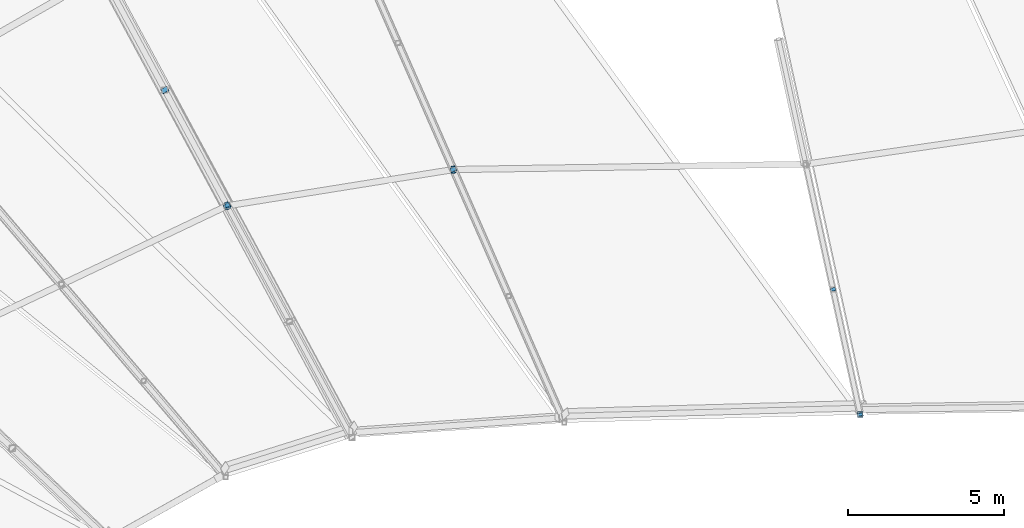
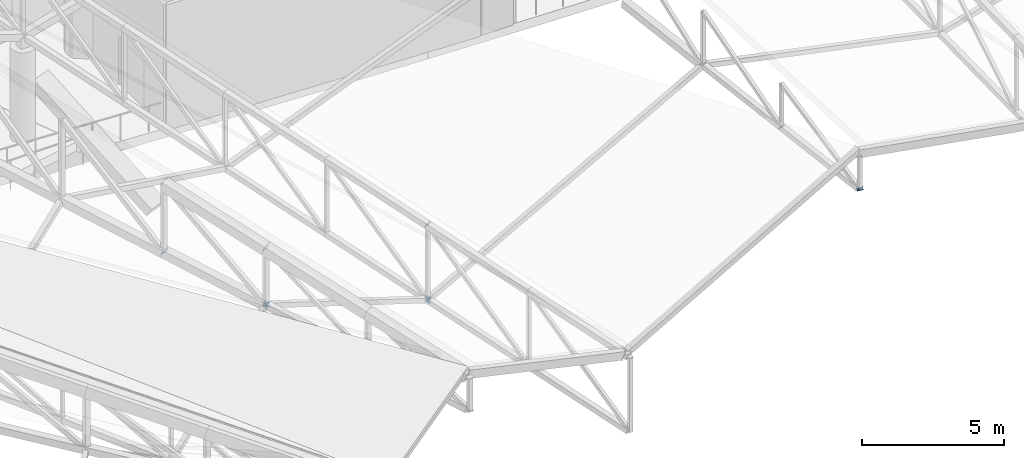
# One storey, part 319 of 344: 12 discrete accessories.
"""IFC4 building model written with IfcOpenShell, lengths in metres."""

import ifcopenshell
import ifcopenshell.guid

model = None  # the IFC model being written
_history = None  # IfcOwnerHistory: only IFC2X3 demands one
_inside = {}  # id of a spatial element -> (the spatial element, [elements in it])
_under = {}  # id of a project, library or spatial element -> (it, [spatial elements below it])
_declared = {}  # id of a project -> (the project, [libraries it declares])
_typed = {}  # id of a type object -> (the type object, [elements of that type])
_made_of = {}  # id of a material, layer set ... -> (it, [elements and type objects made of it])


def new_model(schema):
    """Start an empty IFC model of exactly this schema.

    Asked for "IFC4X3", IfcOpenShell would pick the latest addendum, in which some entities
    have other attributes; the version numbers below select the first issue.
    IFC2X3 requires an IfcOwnerHistory on every rooted entity: one is made here for all.
    """
    global model, _history
    if schema == "IFC4X3":
        model = ifcopenshell.file(schema_version=(4, 3, 0, 0))
    else:
        model = ifcopenshell.file(schema=schema)
    _inside.clear()
    _under.clear()
    _declared.clear()
    _typed.clear()
    _made_of.clear()
    _history = None
    if model.schema == "IFC2X3":
        org = make("IfcOrganization", Name="unknown")
        user = make(
            "IfcPersonAndOrganization",
            ThePerson=make("IfcPerson", FamilyName="unknown"),
            TheOrganization=org,
        )
        app = make(
            "IfcApplication",
            ApplicationDeveloper=org,
            Version="unknown",
            ApplicationFullName="unknown",
            ApplicationIdentifier="unknown",
        )
        _history = make(
            "IfcOwnerHistory",
            OwningUser=user,
            OwningApplication=app,
            ChangeAction="ADDED",
            CreationDate=0,
        )
    return model


def make(cls, **values):
    """One entity of the class cls with the attributes given. An attribute that is None is left unset."""
    return model.create_entity(
        cls, **{name: value for name, value in values.items() if value is not None}
    )


def rooted(cls, **values):
    """An entity with a GlobalId (a new one), such as an element, a storey or a relation."""
    return make(cls, GlobalId=ifcopenshell.guid.new(), OwnerHistory=_history, **values)


def si_unit(unit_type, name, prefix=None):
    """IfcSIUnit, for example si_unit("LENGTHUNIT", "METRE", prefix="MILLI")."""
    return make("IfcSIUnit", UnitType=unit_type, Prefix=prefix, Name=name)


def assignment(units):
    """IfcUnitAssignment: the units of a project."""
    return None if units is None else make("IfcUnitAssignment", Units=units)


def point(xyz):
    """IfcCartesianPoint."""
    return None if xyz is None else make("IfcCartesianPoint", Coordinates=xyz)


def direction(xyz):
    """IfcDirection."""
    return None if xyz is None else make("IfcDirection", DirectionRatios=xyz)


def frame(location, z_axis=None, x_axis=None):
    """IfcAxis2Placement3D, a coordinate frame: its origin and axes. An axis left out is left unset."""
    return make(
        "IfcAxis2Placement3D",
        Location=point(location),
        Axis=direction(z_axis),
        RefDirection=direction(x_axis),
    )


def frame_2d(location, x_axis=None):
    """IfcAxis2Placement2D, a coordinate frame in the plane: its origin and x axis."""
    return make(
        "IfcAxis2Placement2D", Location=point(location), RefDirection=direction(x_axis)
    )


def origin():
    """The frame at (0, 0, 0) with its axes left unset."""
    return frame((0.0, 0.0, 0.0))


def origin_2d():
    """The frame at (0, 0) in the plane with its x axis left unset."""
    return frame_2d((0.0, 0.0))


def place(relative_to, where):
    """IfcLocalPlacement: puts the frame where relative to a parent placement (None: the world)."""
    return make(
        "IfcLocalPlacement", PlacementRelTo=relative_to, RelativePlacement=where
    )


def context(
    kind, dimensions, precision=None, world=None, true_north=None, identifier=None
):
    """IfcGeometricRepresentationContext, for example the 3D "Model" context."""
    return make(
        "IfcGeometricRepresentationContext",
        ContextIdentifier=identifier,
        ContextType=kind,
        CoordinateSpaceDimension=dimensions,
        Precision=precision,
        WorldCoordinateSystem=world,
        TrueNorth=true_north,
    )


def subcontext(parent, identifier, kind, view, scale=None):
    """IfcGeometricRepresentationSubContext, for example "Body" below "Model"."""
    return make(
        "IfcGeometricRepresentationSubContext",
        ContextIdentifier=identifier,
        ContextType=kind,
        ParentContext=parent,
        TargetScale=scale,
        TargetView=view,
    )


def project(units=None, contexts=None):
    """IfcProject with its units and contexts."""
    return rooted(
        "IfcProject",
        Name="project",
        RepresentationContexts=contexts,
        UnitsInContext=assignment(units),
    )


def spatial(cls, under=None, at=None, **own):
    """A site, building, storey or space (cls), placed at a placement, below another one or the project."""
    s = rooted(cls, ObjectPlacement=at, **own)
    if under is not None:
        _under.setdefault(under.id(), (under, []))[1].append(s)
    return s


def profile(cls, at=None, kind="AREA", **sizes):
    """A parametric profile (cls). Its sizes go by their IFC names, for example OverallWidth=200.0."""
    return make(cls, ProfileType=kind, Position=at, **sizes)


def rectangle(**sizes):
    """IfcRectangleProfileDef."""
    return profile("IfcRectangleProfileDef", **sizes)


def extrude(swept, where, along, depth):
    """IfcExtrudedAreaSolid: the profile swept, set in the frame where, extruded along a direction by depth."""
    return make(
        "IfcExtrudedAreaSolid",
        SweptArea=swept,
        Position=where,
        ExtrudedDirection=direction(along),
        Depth=depth,
    )


def shape(context_of_items, identifier, shape_type, items):
    """IfcShapeRepresentation: the items that make up one representation, for example the "Body"."""
    return make(
        "IfcShapeRepresentation",
        ContextOfItems=context_of_items,
        RepresentationIdentifier=identifier,
        RepresentationType=shape_type,
        Items=items,
    )


def material(Name=None, Category=None):
    """IfcMaterial."""
    return make("IfcMaterial", Name=Name, Category=Category)


def material_profile(
    of_material, cross_section, Name=None, Category=None, Priority=None
):
    """IfcMaterialProfile: a cross section and its material."""
    return make(
        "IfcMaterialProfile",
        Name=Name,
        Material=of_material,
        Profile=cross_section,
        Priority=Priority,
        Category=Category,
    )


def profile_set(profiles, Name=None, composite=None):
    """IfcMaterialProfileSet."""
    return make(
        "IfcMaterialProfileSet",
        Name=Name,
        MaterialProfiles=profiles,
        CompositeProfile=composite,
    )


def made_of(thing, what):
    """Note that an element or type object is made of a material, layer set ...; save() writes the relation."""
    if what is not None:
        _made_of.setdefault(what.id(), (what, []))[1].append(thing)
    return thing


def type_object(cls, material=None, **own):
    """A type object (cls), such as IfcWallType, which elements share."""
    return made_of(rooted(cls, **own), material)


def element(
    cls,
    number,
    at=None,
    inside=None,
    cuts=None,
    type_object=None,
    material=None,
    context=None,
    identifier="Body",
    shape_type=None,
    held_by="IfcProductDefinitionShape",
    body=None,
    shapes=None,
    **own,
):
    """One element of the class cls, such as IfcWall. Its Tag is "e" and its number.

    at: its placement. inside: the storey or other place that contains it. cuts: it is an
    opening in that element (IfcRelVoidsElement). A single representation is given by context,
    identifier, shape_type and body (its items); several are given by shapes. held_by: the class
    of the entity that holds the representations. save() writes the other relations.
    """
    e = rooted(cls, Tag="e%d" % number, ObjectPlacement=at, **own)
    if body is not None:
        shapes = [shape(context, identifier, shape_type, body)]
    if shapes is not None:
        e.Representation = make(held_by, Representations=shapes)
    if inside is not None:
        _inside.setdefault(inside.id(), (inside, []))[1].append(e)
    if cuts is not None:
        rooted(
            "IfcRelVoidsElement", RelatingBuildingElement=cuts, RelatedOpeningElement=e
        )
    if type_object is not None:
        _typed.setdefault(type_object.id(), (type_object, []))[1].append(e)
    return made_of(e, material)


def aggregate(whole, parts):
    """IfcRelAggregates: a whole, such as a stair, and the parts it consists of."""
    return rooted("IfcRelAggregates", RelatingObject=whole, RelatedObjects=parts)


def save(model, path):
    """Write the relations noted so far, then the file.

    IfcRelAggregates (storeys below a building ...), IfcRelContainedInSpatialStructure (elements
    in a storey), IfcRelDefinesByType, IfcRelAssociatesMaterial and IfcRelDeclares: one each for
    every whole, place, type object, material and project.
    """
    for whole, parts in _under.values():
        aggregate(whole, parts)
    for where, things in _inside.values():
        rooted(
            "IfcRelContainedInSpatialStructure",
            RelatedElements=things,
            RelatingStructure=where,
        )
    for kind, things in _typed.values():
        rooted("IfcRelDefinesByType", RelatedObjects=things, RelatingType=kind)
    for what, things in _made_of.values():
        rooted("IfcRelAssociatesMaterial", RelatedObjects=things, RelatingMaterial=what)
    for by, libraries in _declared.values():
        rooted("IfcRelDeclares", RelatingContext=by, RelatedDefinitions=libraries)
    model.write(path)


model = new_model("IFC4")

# Units and contexts
model_context = context("Model", 3, precision=1e-05, world=origin(), true_north=direction((0.0, 1.0)))
body_context = subcontext(model_context, "Body", "Model", "MODEL_VIEW")
ifc_project = project(units=[si_unit("LENGTHUNIT", "METRE"), si_unit("AREAUNIT", "SQUARE_METRE"), si_unit("VOLUMEUNIT", "CUBIC_METRE"), si_unit("PLANEANGLEUNIT", "RADIAN"), si_unit("MASSUNIT", "GRAM", prefix="KILO")], contexts=[model_context])

# Site, building, storey
site_placement = place(None, origin())
site = spatial("IfcSite", under=ifc_project, at=site_placement, CompositionType="ELEMENT")
building_placement = place(site_placement, origin())
building = spatial("IfcBuilding", under=site, at=building_placement, Name="Meseta Stadium", CompositionType="ELEMENT")
storey_placement = place(building_placement, frame((0.0, 0.0, 24.0)))
storey = spatial("IfcBuildingStorey", under=building, at=storey_placement, Name="L04", CompositionType="ELEMENT", Elevation=24.0)

# Discrete accessories
ifc_material_1 = material(Name="Steel S355", Category="steel")
ifc_material_profile_1 = material_profile(ifc_material_1, rectangle(XDim=0.179931640625, YDim=0.179931640625, at=origin_2d()), Name="PL 180x180")
ifc_profile_set_1 = profile_set([ifc_material_profile_1], Name="Steel S355")
discrete_accessory_type_1 = type_object("IfcDiscreteAccessoryType", Name="End plate 180x180x20", PredefinedType="ANCHORPLATE", material=ifc_profile_set_1)
for number, where, z_axis, x_axis, name in (
    (1, (-14.3896484375, 65.8369140625, 5.27294921875), (0.0, 0.0, 1.0), (1.0, 0.0, 0.0), "End plate of ROOF TRUSS RT-20 post"),
    (2, (-14.385986328125, 65.820068359375, 5.282958984375), (-0.183707138088, 0.845052835203, 0.502132844106), (-0.977176363923, -0.212429644331, 0.0), "End plate of ROOF TRUSS RT-20 diagonal"),
):
    element("IfcDiscreteAccessory", number, at=place(storey_placement, frame(where, z_axis=z_axis, x_axis=x_axis)), inside=storey, type_object=discrete_accessory_type_1, Name=name, PredefinedType="ANCHORPLATE", context=body_context, shape_type="SweptSolid", body=[
        extrude(rectangle(XDim=0.179931640625, YDim=0.179931640625, at=origin_2d()), origin(), (0.0, 0.0, 1.0), 0.02001953125),
    ])
discrete_accessory_1_placement = place(storey_placement, frame((-15.25927734375, 69.83203125, 5.8232421875), z_axis=(-0.171937762776, 0.798282470032, 0.577219632177), x_axis=(-0.977581781174, -0.210556075945, 0.0)))
element("IfcDiscreteAccessory", 3, at=discrete_accessory_1_placement, inside=storey, type_object=discrete_accessory_type_1, Name="End plate of ROOF TRUSS RT-20 diagonal", PredefinedType="ANCHORPLATE", context=body_context, shape_type="SweptSolid", body=[
    extrude(rectangle(XDim=0.179931640625, YDim=0.179931640625, at=origin_2d()), origin(), (0.0, 0.0, 1.0), 0.019775390625),
])
discrete_accessory_2_placement = place(storey_placement, frame((-27.43017578125, 73.6884765625, 3.54248046875), z_axis=(-0.278854463561, 0.666825891123, 0.691074105346), x_axis=(-0.922579877145, -0.385806130442, 0.0)))
element("IfcDiscreteAccessory", 4, at=discrete_accessory_2_placement, inside=storey, type_object=discrete_accessory_type_1, Name="End plate of ROOF TRUSS RT-21 diagonal", PredefinedType="ANCHORPLATE", context=body_context, shape_type="SweptSolid", body=[
    extrude(rectangle(XDim=0.179931640625, YDim=0.179931640625, at=origin_2d()), origin(), (0.0, 0.0, 1.0), 0.02001953125),
])
discrete_accessory_3_placement = place(storey_placement, frame((-27.42431640625, 73.67529296875, 0.328857421875), z_axis=(-0.294794917616, 0.663288564635, 0.68785480777), x_axis=(-0.91381154862, -0.406138466053, 0.0)))
element("IfcDiscreteAccessory", 5, at=discrete_accessory_3_placement, inside=storey, type_object=discrete_accessory_type_1, Name="End plate of ROOF TRUSS RT-21 diagonal", PredefinedType="ANCHORPLATE", context=body_context, shape_type="SweptSolid", body=[
    extrude(rectangle(XDim=0.179931640625, YDim=0.179931640625, at=origin_2d()), origin(), (0.0, 0.0, 1.0), 0.019775390625),
])
discrete_accessory_4_placement = place(storey_placement, frame((-34.68212890625, 72.526123046875, 5.77734375), z_axis=(-0.388371251002, 0.703922892442, 0.594693478097), x_axis=(-0.875577684027, -0.483077342911, 0.0)))
element("IfcDiscreteAccessory", 6, at=discrete_accessory_4_placement, inside=storey, type_object=discrete_accessory_type_1, Name="End plate of ROOF TRUSS RT-22 diagonal", PredefinedType="ANCHORPLATE", context=body_context, shape_type="SweptSolid", body=[
    extrude(rectangle(XDim=0.179931640625, YDim=0.179931640625, at=origin_2d()), origin(), (0.0, 0.0, 1.0), 0.02001953125),
])
ifc_material_2 = material(Name="Steel S355", Category="steel")
ifc_material_profile_2 = material_profile(ifc_material_2, rectangle(XDim=0.219970703125, YDim=0.219970703125, at=origin_2d()), Name="PL 220x220")
ifc_profile_set_2 = profile_set([ifc_material_profile_2], Name="Steel S355")
discrete_accessory_type_2 = type_object("IfcDiscreteAccessoryType", Name="End plate 220x220x20", PredefinedType="ANCHORPLATE", material=ifc_profile_set_2)
for number, where, z_axis, x_axis, name in (
    (7, (-34.675048828125, 72.512939453125, 3.358642578125), (-0.357888347741, 0.666412785448, 0.65407180794), (-0.880994429299, -0.473126637957, 0.0), "End plate of ROOF TRUSS RT-22 diagonal"),
    (8, (-36.675537109375, 76.2265625, 4.0712890625), (-0.343771839277, 0.626155850111, 0.699821244242), (-0.87657855078, -0.481258812193, 0.0), "End plate of ROOF TRUSS RT-22 diagonal"),
):
    element("IfcDiscreteAccessory", number, at=place(storey_placement, frame(where, z_axis=z_axis, x_axis=x_axis)), inside=storey, type_object=discrete_accessory_type_2, Name=name, PredefinedType="ANCHORPLATE", context=body_context, shape_type="SweptSolid", body=[
        extrude(rectangle(XDim=0.219970703125, YDim=0.219970703125, at=origin_2d()), origin(), (0.0, 0.0, 1.0), 0.019775390625),
    ])
ifc_material_3 = material(Name="Steel S355", Category="steel")
ifc_material_profile_3 = material_profile(ifc_material_3, rectangle(XDim=0.239990234375, YDim=0.239990234375, at=origin_2d()), Name="PL 240x240")
ifc_profile_set_3 = profile_set([ifc_material_profile_3], Name="Steel S355")
discrete_accessory_type_3 = type_object("IfcDiscreteAccessoryType", Name="End plate 240x240x20", PredefinedType="ANCHORPLATE", material=ifc_profile_set_3)
for number, where, z_axis, x_axis, name in (
    (9, (-27.43017578125, 73.6884765625, 0.342529296875), (-0.879226404, -0.012211477833, -0.4762476355), (0.013887549491, -0.999903563335, 0.0), "End plate of ROOF TRUSS STRUT RT-20/21"),
    (10, (-27.411865234375, 73.69140625, 0.3349609375), (-0.914226343328, -0.146276214932, 0.377880221909), (0.157990501107, -0.987440631917, 0.0), "End plate of ROOF TRUSS STRUT RT-21/22"),
    (11, (-34.68212890625, 72.526123046875, 3.37158203125), (-0.914226343328, -0.146276214932, 0.377880221909), (0.157990501107, -0.987440631917, 0.0), "End plate of ROOF TRUSS STRUT RT-21/22"),
    (12, (-34.66650390625, 72.53369140625, 3.381591796875), (-0.77967654701, -0.377655827458, -0.499480287928), (0.435928453727, -0.899981323824, 0.0), "End plate of ROOF TRUSS STRUT RT-22/23"),
):
    element("IfcDiscreteAccessory", number, at=place(storey_placement, frame(where, z_axis=z_axis, x_axis=x_axis)), inside=storey, type_object=discrete_accessory_type_3, Name=name, PredefinedType="ANCHORPLATE", context=body_context, shape_type="SweptSolid", body=[
        extrude(rectangle(XDim=0.239990234375, YDim=0.239990234375, at=origin_2d()), origin(), (0.0, 0.0, 1.0), 0.02001953125),
    ])

save(model, "model.ifc")
